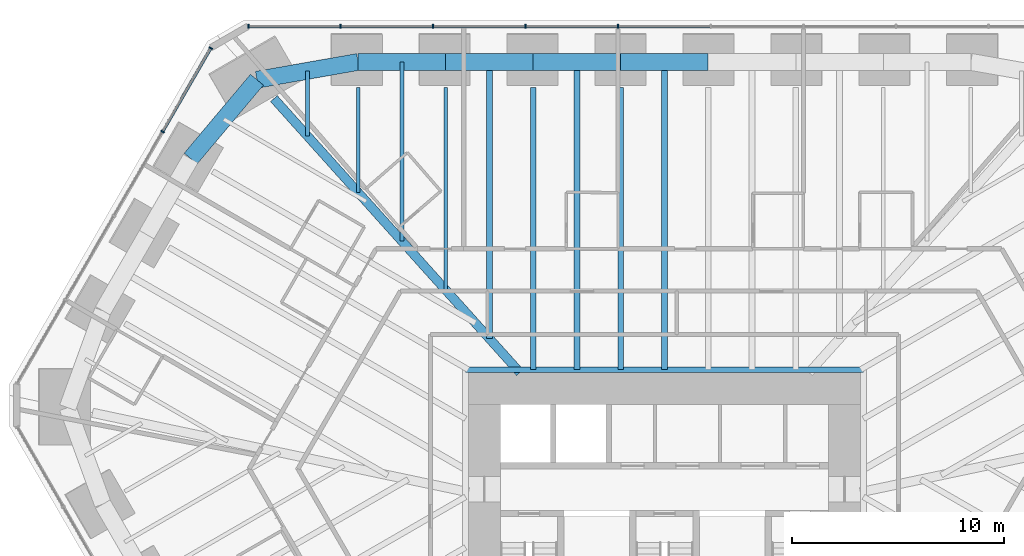
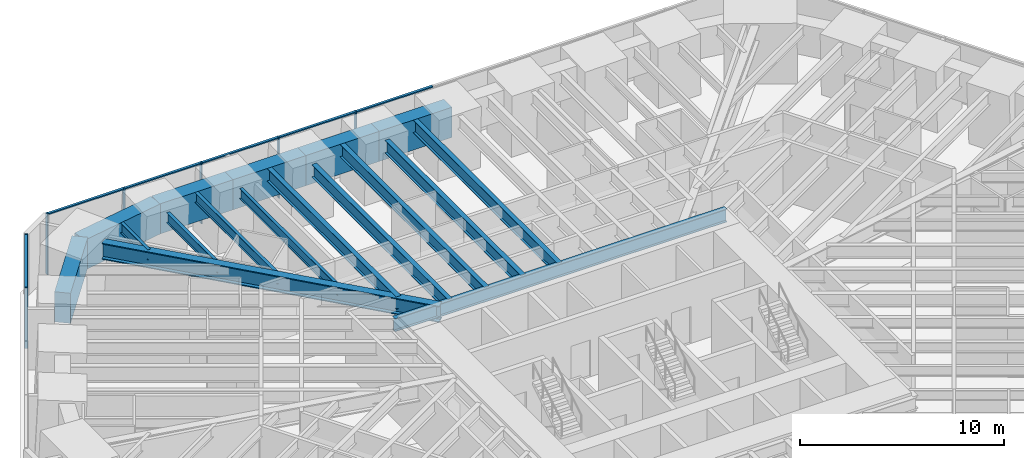
# One storey, part 8 of 17: 17 beams, 13 members, 2 elements without a shape of their own.
"""IFC4 building model written with IfcOpenShell, lengths in metres."""

from ifc_helpers import new_model, si_unit, direction, frame, origin, origin_2d, place, context, subcontext, project, spatial, rectangle, i_section, extrude, material, material_profile, profile_set, type_object, element, aggregate, save


model = new_model("IFC4")

# Units and contexts
model_context = context("Model", 3, precision=1e-05, world=origin(), true_north=direction((0.0, 1.0)))
body_context = subcontext(model_context, "Body", "Model", "MODEL_VIEW")
ifc_project = project(units=[si_unit("LENGTHUNIT", "METRE"), si_unit("AREAUNIT", "SQUARE_METRE"), si_unit("VOLUMEUNIT", "CUBIC_METRE"), si_unit("PLANEANGLEUNIT", "RADIAN"), si_unit("MASSUNIT", "GRAM", prefix="KILO")], contexts=[model_context])

# Site, building, storey
site_placement = place(None, origin())
site = spatial("IfcSite", under=ifc_project, at=site_placement, CompositionType="ELEMENT")
building_placement = place(site_placement, origin())
building = spatial("IfcBuilding", under=site, at=building_placement, Name="Sandreach Pilgrim Tower", CompositionType="ELEMENT")
storey_placement = place(building_placement, frame((0.0, 0.0, 64.800048828125)))
storey = spatial("IfcBuildingStorey", under=building, at=storey_placement, Name="L15", CompositionType="ELEMENT", Elevation=64.800048828125)

# Curtain wall, members
ifc_material_1 = material(Name="Aluminium framed curtain wall", Category="aluminium")
curtain_wall_type = type_object("IfcCurtainWallType", Name="Hostel tower curtain wall", PredefinedType="NOTDEFINED", material=ifc_material_1)
curtain_wall_1_placement = place(storey_placement, origin())
curtain_wall_1 = element("IfcCurtainWall", 1, at=curtain_wall_1_placement, inside=storey, type_object=curtain_wall_type, Name="CW-1 L15 N", PredefinedType="NOTDEFINED")
ifc_material_2 = material(Name="Aluminium extrusion", Category="aluminium")
ifc_material_profile_1 = material_profile(ifc_material_2, rectangle(XDim=0.06494140625, YDim=0.179931640625, at=origin_2d()), Name="CW-1M 65X180")
ifc_profile_set_1 = profile_set([ifc_material_profile_1], Name="Aluminium extrusion")
member_type_1 = type_object("IfcMemberType", Name="CW-1 mullion", PredefinedType="MULLION", material=ifc_profile_set_1)
member_1_placement = place(storey_placement, frame((-19.6396484375, 23.94873046875, 0.0), z_axis=(0.0, 0.0, 1.0), x_axis=(1.0, 0.0, 0.0)))
member_1 = element("IfcMember", 2, at=member_1_placement, type_object=member_type_1, Name="CW-1 mullion 1", PredefinedType="MULLION", context=body_context, shape_type="SweptSolid", body=[
    extrude(rectangle(XDim=0.06494140625, YDim=0.179931640625, at=origin_2d()), origin(), (0.0, 0.0, 1.0), 3.639892578125),
])
member_2_placement = place(storey_placement, frame((-15.300537109375, 23.94873046875, 0.0), z_axis=(0.0, 0.0, 1.0), x_axis=(1.0, 0.0, 0.0)))
member_2 = element("IfcMember", 3, at=member_2_placement, type_object=member_type_1, Name="CW-1 mullion 2", PredefinedType="MULLION", context=body_context, shape_type="SweptSolid", body=[
    extrude(rectangle(XDim=0.06494140625, YDim=0.179931640625, at=origin_2d()), origin(), (0.0, 0.0, 1.0), 3.639892578125),
])
member_3_placement = place(storey_placement, frame((-10.928955078125, 23.94873046875, 0.0), z_axis=(0.0, 0.0, 1.0), x_axis=(1.0, 0.0, 0.0)))
member_3 = element("IfcMember", 4, at=member_3_placement, type_object=member_type_1, Name="CW-1 mullion 3", PredefinedType="MULLION", context=body_context, shape_type="SweptSolid", body=[
    extrude(rectangle(XDim=0.06494140625, YDim=0.179931640625, at=origin_2d()), origin(), (0.0, 0.0, 1.0), 3.639892578125),
])
member_4_placement = place(storey_placement, frame((-6.557373046875, 23.94873046875, 0.0), z_axis=(0.0, 0.0, 1.0), x_axis=(1.0, 0.0, 0.0)))
member_4 = element("IfcMember", 5, at=member_4_placement, type_object=member_type_1, Name="CW-1 mullion 4", PredefinedType="MULLION", context=body_context, shape_type="SweptSolid", body=[
    extrude(rectangle(XDim=0.06494140625, YDim=0.179931640625, at=origin_2d()), origin(), (0.0, 0.0, 1.0), 3.639892578125),
])
member_5_placement = place(storey_placement, frame((-2.185791015625, 23.94873046875, 0.0), z_axis=(0.0, 0.0, 1.0), x_axis=(1.0, 0.0, 0.0)))
member_5 = element("IfcMember", 6, at=member_5_placement, type_object=member_type_1, Name="CW-1 mullion 5", PredefinedType="MULLION", context=body_context, shape_type="SweptSolid", body=[
    extrude(rectangle(XDim=0.06494140625, YDim=0.179931640625, at=origin_2d()), origin(), (0.0, 0.0, 1.0), 3.639892578125),
])

curtain_wall_2_placement = place(storey_placement, origin())
curtain_wall_2 = element("IfcCurtainWall", 7, at=curtain_wall_2_placement, inside=storey, type_object=curtain_wall_type, Name="CW-1 L15 NW", PredefinedType="NOTDEFINED")
member_6_placement = place(storey_placement, frame((-23.697265625, 18.97705078125, 0.0), z_axis=(0.0, 0.0, 1.0), x_axis=(0.5, 0.866025403784, 0.0)))
member_6 = element("IfcMember", 8, at=member_6_placement, type_object=member_type_1, Name="CW-1 mullion 4", PredefinedType="MULLION", context=body_context, shape_type="SweptSolid", body=[
    extrude(rectangle(XDim=0.06494140625, YDim=0.179931640625, at=origin_2d()), origin(), (0.0, 0.0, 1.0), 3.639892578125),
])
member_7_placement = place(storey_placement, frame((-21.42041015625, 22.920654296875, 0.0), z_axis=(0.0, 0.0, 1.0), x_axis=(0.5, 0.866025403784, 0.0)))
member_7 = element("IfcMember", 9, at=member_7_placement, type_object=member_type_1, Name="CW-1 mullion 5", PredefinedType="MULLION", context=body_context, shape_type="SweptSolid", body=[
    extrude(rectangle(XDim=0.06494140625, YDim=0.179931640625, at=origin_2d()), origin(), (0.0, 0.0, 1.0), 3.639892578125),
])

# Member
ifc_material_3 = material(Name="Aluminium extrusion", Category="aluminium")
ifc_material_profile_2 = material_profile(ifc_material_3, rectangle(XDim=0.139892578125, YDim=0.070068359375, at=origin_2d()), Name="CW-1T 140X70")
ifc_profile_set_2 = profile_set([ifc_material_profile_2], Name="Aluminium extrusion")
member_type_2 = type_object("IfcMemberType", Name="CW-1 transom", PredefinedType="USERDEFINED", material=ifc_profile_set_2)
member_8_placement = place(storey_placement, frame((-19.607177734375, 23.94873046875, 3.60498046875), z_axis=(1.0, 0.0, 0.0), x_axis=(0.0, 1.0, 0.0)))
member_8 = element("IfcMember", 10, at=member_8_placement, type_object=member_type_2, Name="CW-1 head transom 1", ObjectType="TRANSOM", PredefinedType="USERDEFINED", context=body_context, shape_type="SweptSolid", body=[
    extrude(rectangle(XDim=0.139892578125, YDim=0.070068359375, at=origin_2d()), origin(), (0.0, 0.0, 1.0), 4.274169921875),
])

member_9_placement = place(storey_placement, frame((-15.26806640625, 23.94873046875, 3.60498046875), z_axis=(1.0, 0.0, 0.0), x_axis=(0.0, 1.0, 0.0)))
member_9 = element("IfcMember", 11, at=member_9_placement, type_object=member_type_2, Name="CW-1 head transom 2", ObjectType="TRANSOM", PredefinedType="USERDEFINED", context=body_context, shape_type="SweptSolid", body=[
    extrude(rectangle(XDim=0.139892578125, YDim=0.070068359375, at=origin_2d()), origin(), (0.0, 0.0, 1.0), 4.306640625),
])

member_10_placement = place(storey_placement, frame((-10.896484375, 23.94873046875, 3.60498046875), z_axis=(1.0, 0.0, 0.0), x_axis=(0.0, 1.0, 0.0)))
member_10 = element("IfcMember", 12, at=member_10_placement, type_object=member_type_2, Name="CW-1 head transom 3", ObjectType="TRANSOM", PredefinedType="USERDEFINED", context=body_context, shape_type="SweptSolid", body=[
    extrude(rectangle(XDim=0.139892578125, YDim=0.070068359375, at=origin_2d()), origin(), (0.0, 0.0, 1.0), 4.306640625),
])

member_11_placement = place(storey_placement, frame((-6.52490234375, 23.94873046875, 3.60498046875), z_axis=(1.0, 0.0, 0.0), x_axis=(0.0, 1.0, 0.0)))
member_11 = element("IfcMember", 13, at=member_11_placement, type_object=member_type_2, Name="CW-1 head transom 4", ObjectType="TRANSOM", PredefinedType="USERDEFINED", context=body_context, shape_type="SweptSolid", body=[
    extrude(rectangle(XDim=0.139892578125, YDim=0.070068359375, at=origin_2d()), origin(), (0.0, 0.0, 1.0), 4.306640625),
])

member_12_placement = place(storey_placement, frame((-2.1533203125, 23.94873046875, 3.60498046875), z_axis=(1.0, 0.0, 0.0), x_axis=(0.0, 1.0, 0.0)))
member_12 = element("IfcMember", 14, at=member_12_placement, type_object=member_type_2, Name="CW-1 head transom 5", ObjectType="TRANSOM", PredefinedType="USERDEFINED", context=body_context, shape_type="SweptSolid", body=[
    extrude(rectangle(XDim=0.139892578125, YDim=0.070068359375, at=origin_2d()), origin(), (0.0, 0.0, 1.0), 4.306640625),
])

aggregate(curtain_wall_1, [member_1, member_2, member_3, member_4, member_5, member_8, member_9, member_10, member_11, member_12])

member_13_placement = place(storey_placement, frame((-23.680908203125, 19.005126953125, 3.60498046875), z_axis=(0.500017500808, 0.866015299452, 0.0), x_axis=(-0.866015299452, 0.500017500808, 0.0)))
member_13 = element("IfcMember", 15, at=member_13_placement, type_object=member_type_2, Name="CW-1 head transom 4", ObjectType="TRANSOM", PredefinedType="USERDEFINED", context=body_context, shape_type="SweptSolid", body=[
    extrude(rectangle(XDim=0.139892578125, YDim=0.070068359375, at=origin_2d()), origin(), (0.0, 0.0, 1.0), 4.488525390625),
])

aggregate(curtain_wall_2, [member_6, member_7, member_13])

# Beams
ifc_material_4 = material(Name="Steel ASTM A992 Grade 50", Category="steel")
ifc_material_profile_3 = material_profile(ifc_material_4, i_section(OverallWidth=0.2666015625, OverallDepth=0.77978515625, WebThickness=0.0166015625, FlangeThickness=0.030029296875, at=origin_2d()), Name="W30X148")
ifc_profile_set_3 = profile_set([ifc_material_profile_3], Name="Steel ASTM A992 Grade 50")
beam_type_1 = type_object("IfcBeamType", Name="Core edge beam W30X148", PredefinedType="BEAM", material=ifc_profile_set_3)
beam_1_placement = place(storey_placement, frame((-9.393310546875, 7.743408203125, 3.25), z_axis=(1.0, 0.0, 0.0), x_axis=(0.0, 1.0, 0.0)))
element("IfcBeam", 16, at=beam_1_placement, inside=storey, type_object=beam_type_1, Name="BM L15 CEN", PredefinedType="BEAM", context=body_context, shape_type="SweptSolid", body=[
    extrude(i_section(OverallWidth=0.2666015625, OverallDepth=0.77978515625, WebThickness=0.0166015625, FlangeThickness=0.030029296875, at=origin_2d()), origin(), (0.0, 0.0, 1.0), 18.78662109375),
])
ifc_material_5 = material(Name="Steel ASTM A992 Grade 50", Category="steel")
ifc_material_profile_4 = material_profile(ifc_material_5, i_section(OverallWidth=0.4267578125, OverallDepth=0.975341796875, WebThickness=0.031005859375, FlangeThickness=0.055908203125, at=origin_2d()), Name="W36X395")
ifc_profile_set_4 = profile_set([ifc_material_profile_4], Name="Steel ASTM A992 Grade 50")
beam_type_2 = type_object("IfcBeamType", Name="Corner girder W36X395", PredefinedType="BEAM", material=ifc_profile_set_4)
beam_2_placement = place(storey_placement, frame((-18.43994140625, 20.53564453125, 3.15234375), z_axis=(0.668129498708, -0.744045007346, 0.0), x_axis=(0.744045007346, 0.668129498708, 0.0)))
element("IfcBeam", 17, at=beam_2_placement, inside=storey, type_object=beam_type_2, Name="BM L15 CG39", PredefinedType="BEAM", context=body_context, shape_type="SweptSolid", body=[
    extrude(i_section(OverallWidth=0.4267578125, OverallDepth=0.975341796875, WebThickness=0.031005859375, FlangeThickness=0.055908203125, at=origin_2d()), origin(), (0.0, 0.0, 1.0), 17.385498046875),
])
ifc_material_6 = material(Name="Steel ASTM A992 Grade 50", Category="steel")
ifc_material_profile_5 = material_profile(ifc_material_6, i_section(OverallWidth=0.1787109375, OverallDepth=0.60205078125, WebThickness=0.010986328125, FlangeThickness=0.014892578125, at=origin_2d()), Name="W24X62")
ifc_profile_set_5 = profile_set([ifc_material_profile_5], Name="Steel ASTM A992 Grade 50")
beam_type_3 = type_object("IfcBeamType", Name="Floor beam W24X62", PredefinedType="BEAM", material=ifc_profile_set_5)
beam_3_placement = place(storey_placement, frame((-14.462646484375, 21.06982421875, 3.3388671875), z_axis=(0.0, -1.0, 0.0), x_axis=(1.0, 0.0, 0.0)))
element("IfcBeam", 18, at=beam_3_placement, inside=storey, type_object=beam_type_3, Name="BM L15 F01", PredefinedType="BEAM", context=body_context, shape_type="SweptSolid", body=[
    extrude(i_section(OverallWidth=0.1787109375, OverallDepth=0.60205078125, WebThickness=0.010986328125, FlangeThickness=0.014892578125, at=origin_2d()), origin(), (0.0, 0.0, 1.0), 4.96337890625),
])
beam_4_placement = place(storey_placement, frame((-10.33056640625, 21.06982421875, 3.3388671875), z_axis=(0.0, -1.0, 0.0), x_axis=(1.0, 0.0, 0.0)))
element("IfcBeam", 19, at=beam_4_placement, inside=storey, type_object=beam_type_3, Name="BM L15 F02", PredefinedType="BEAM", context=body_context, shape_type="SweptSolid", body=[
    extrude(i_section(OverallWidth=0.1787109375, OverallDepth=0.60205078125, WebThickness=0.010986328125, FlangeThickness=0.014892578125, at=origin_2d()), origin(), (0.0, 0.0, 1.0), 9.565185546875),
])
beam_5_placement = place(storey_placement, frame((-12.396484375, 22.269775390625, 3.3388671875), z_axis=(0.0, -1.0, 0.0), x_axis=(1.0, 0.0, 0.0)))
element("IfcBeam", 20, at=beam_5_placement, inside=storey, type_object=beam_type_3, Name="BM L15 FM01", PredefinedType="BEAM", context=body_context, shape_type="SweptSolid", body=[
    extrude(i_section(OverallWidth=0.1787109375, OverallDepth=0.60205078125, WebThickness=0.010986328125, FlangeThickness=0.014892578125, at=origin_2d()), origin(), (0.0, 0.0, 1.0), 8.464111328125),
])
beam_6_placement = place(storey_placement, frame((-16.85205078125, 21.849365234375, 3.3388671875), z_axis=(0.0, -1.0, 0.0), x_axis=(1.0, 0.0, 0.0)))
element("IfcBeam", 21, at=beam_6_placement, inside=storey, type_object=beam_type_3, Name="BM L15 FM39", PredefinedType="BEAM", context=body_context, shape_type="SweptSolid", body=[
    extrude(i_section(OverallWidth=0.1787109375, OverallDepth=0.60205078125, WebThickness=0.010986328125, FlangeThickness=0.014892578125, at=origin_2d()), origin(), (0.0, 0.0, 1.0), 3.081787109375),
])
ifc_material_7 = material(Name="Steel ASTM A992 Grade 50", Category="steel")
ifc_material_profile_6 = material_profile(ifc_material_7, i_section(OverallWidth=0.2666015625, OverallDepth=0.761962890625, WebThickness=0.014404296875, FlangeThickness=0.021484375, at=origin_2d()), Name="W30X116")
ifc_profile_set_6 = profile_set([ifc_material_profile_6], Name="Steel ASTM A992 Grade 50")
beam_type_4 = type_object("IfcBeamType", Name="Floor beam W30X116", PredefinedType="BEAM", material=ifc_profile_set_6)
for number, where, z_axis, x_axis, name in (
    (22, (-6.1982421875, 21.06982421875, 3.259033203125), (0.0, -1.0, 0.0), (1.0, 0.0, 0.0), "BM L15 F03"),
    (23, (-2.066162109375, 21.06982421875, 3.259033203125), (0.0, -1.0, 0.0), (1.0, 0.0, 0.0), "BM L15 F04"),
):
    element("IfcBeam", number, at=place(storey_placement, frame(where, z_axis=z_axis, x_axis=x_axis)), inside=storey, type_object=beam_type_4, Name=name, PredefinedType="BEAM", context=body_context, shape_type="SweptSolid", body=[
        extrude(i_section(OverallWidth=0.2666015625, OverallDepth=0.761962890625, WebThickness=0.014404296875, FlangeThickness=0.021484375, at=origin_2d()), origin(), (0.0, 0.0, 1.0), 13.326416015625),
    ])
beam_7_placement = place(storey_placement, frame((-8.264404296875, 22.269775390625, 3.259033203125), z_axis=(0.0, -1.0, 0.0), x_axis=(1.0, 0.0, 0.0)))
element("IfcBeam", 24, at=beam_7_placement, inside=storey, type_object=beam_type_4, Name="BM L15 FM02", PredefinedType="BEAM", context=body_context, shape_type="SweptSolid", body=[
    extrude(i_section(OverallWidth=0.2666015625, OverallDepth=0.761962890625, WebThickness=0.014404296875, FlangeThickness=0.021484375, at=origin_2d()), origin(), (0.0, 0.0, 1.0), 13.06591796875),
])
for number, where, z_axis, x_axis, name in (
    (25, (-4.132080078125, 22.269775390625, 3.259033203125), (0.0, -1.0, 0.0), (1.0, 0.0, 0.0), "BM L15 FM03"),
    (26, (0.0, 22.269775390625, 3.259033203125), (0.0, -1.0, 0.0), (1.0, 0.0, 0.0), "BM L15 FM04"),
):
    element("IfcBeam", number, at=place(storey_placement, frame(where, z_axis=z_axis, x_axis=x_axis)), inside=storey, type_object=beam_type_4, Name=name, PredefinedType="BEAM", context=body_context, shape_type="SweptSolid", body=[
        extrude(i_section(OverallWidth=0.2666015625, OverallDepth=0.761962890625, WebThickness=0.014404296875, FlangeThickness=0.021484375, at=origin_2d()), origin(), (0.0, 0.0, 1.0), 14.5263671875),
    ])
ifc_material_8 = material(Name="Concrete 10000 psi", Category="concrete")
ifc_material_profile_7 = material_profile(ifc_material_8, rectangle(XDim=0.800048828125, YDim=1.800048828125, at=origin_2d()), Name="RC800X1800")
ifc_profile_set_7 = profile_set([ifc_material_profile_7], Name="Concrete 10000 psi")
beam_type_5 = type_object("IfcBeamType", Name="Spandrel beam RC800X1800", PredefinedType="SPANDREL", material=ifc_profile_set_7)
beam_8_placement = place(storey_placement, frame((-14.462646484375, 22.269775390625, 2.739990234375), z_axis=(1.0, 0.0, 0.0), x_axis=(0.0, 1.0, 0.0)))
element("IfcBeam", 27, at=beam_8_placement, inside=storey, type_object=beam_type_5, Name="BM L15 SP01", PredefinedType="SPANDREL", context=body_context, shape_type="SweptSolid", body=[
    extrude(rectangle(XDim=0.800048828125, YDim=1.800048828125, at=origin_2d()), origin(), (0.0, 0.0, 1.0), 4.132080078125),
])
beam_9_placement = place(storey_placement, frame((-10.33056640625, 22.269775390625, 2.739990234375), z_axis=(1.0, 0.0, 0.0), x_axis=(0.0, 1.0, 0.0)))
element("IfcBeam", 28, at=beam_9_placement, inside=storey, type_object=beam_type_5, Name="BM L15 SP02", PredefinedType="SPANDREL", context=body_context, shape_type="SweptSolid", body=[
    extrude(rectangle(XDim=0.800048828125, YDim=1.800048828125, at=origin_2d()), origin(), (0.0, 0.0, 1.0), 4.13232421875),
])
beam_10_placement = place(storey_placement, frame((-6.1982421875, 22.269775390625, 2.739990234375), z_axis=(1.0, 0.0, 0.0), x_axis=(0.0, 1.0, 0.0)))
element("IfcBeam", 29, at=beam_10_placement, inside=storey, type_object=beam_type_5, Name="BM L15 SP03", PredefinedType="SPANDREL", context=body_context, shape_type="SweptSolid", body=[
    extrude(rectangle(XDim=0.800048828125, YDim=1.800048828125, at=origin_2d()), origin(), (0.0, 0.0, 1.0), 4.132080078125),
])
beam_11_placement = place(storey_placement, frame((-2.066162109375, 22.269775390625, 2.739990234375), z_axis=(1.0, 0.0, 0.0), x_axis=(0.0, 1.0, 0.0)))
element("IfcBeam", 30, at=beam_11_placement, inside=storey, type_object=beam_type_5, Name="BM L15 SP04", PredefinedType="SPANDREL", context=body_context, shape_type="SweptSolid", body=[
    extrude(rectangle(XDim=0.800048828125, YDim=1.800048828125, at=origin_2d()), origin(), (0.0, 0.0, 1.0), 4.13232421875),
])
beam_12_placement = place(storey_placement, frame((-22.372802734375, 17.70361328125, 2.739990234375), z_axis=(0.643435611027, 0.765500238055, 0.0), x_axis=(-0.765500238055, 0.643435611027, 0.0)))
element("IfcBeam", 31, at=beam_12_placement, inside=storey, type_object=beam_type_5, Name="BM L15 SP38", PredefinedType="SPANDREL", context=body_context, shape_type="SweptSolid", body=[
    extrude(rectangle(XDim=0.800048828125, YDim=1.800048828125, at=origin_2d()), origin(), (0.0, 0.0, 1.0), 4.8662109375),
])
beam_13_placement = place(storey_placement, frame((-19.24169921875, 21.4287109375, 2.739990234375), z_axis=(0.984864491791, 0.173326088083, 0.0), x_axis=(-0.173326088083, 0.984864491791, 0.0)))
element("IfcBeam", 32, at=beam_13_placement, inside=storey, type_object=beam_type_5, Name="BM L15 SP39", PredefinedType="SPANDREL", context=body_context, shape_type="SweptSolid", body=[
    extrude(rectangle(XDim=0.800048828125, YDim=1.800048828125, at=origin_2d()), origin(), (0.0, 0.0, 1.0), 4.8525390625),
])

save(model, "model.ifc")
